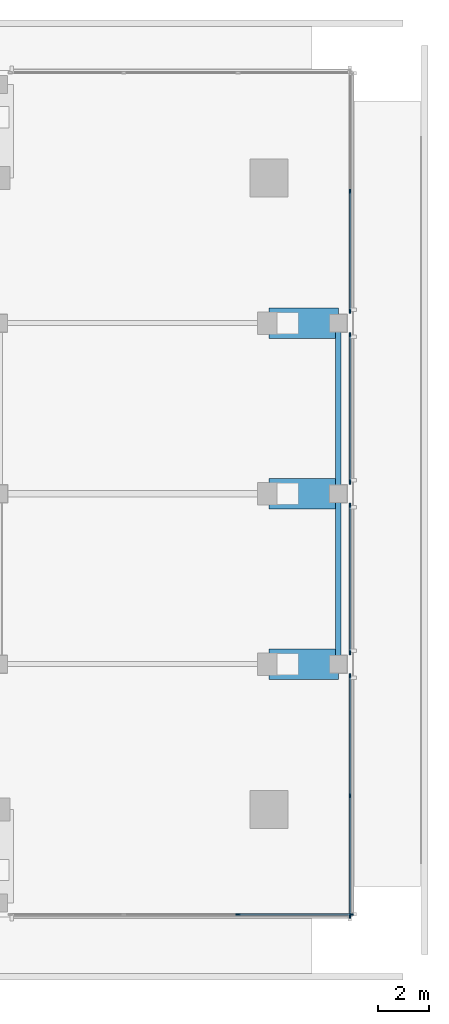
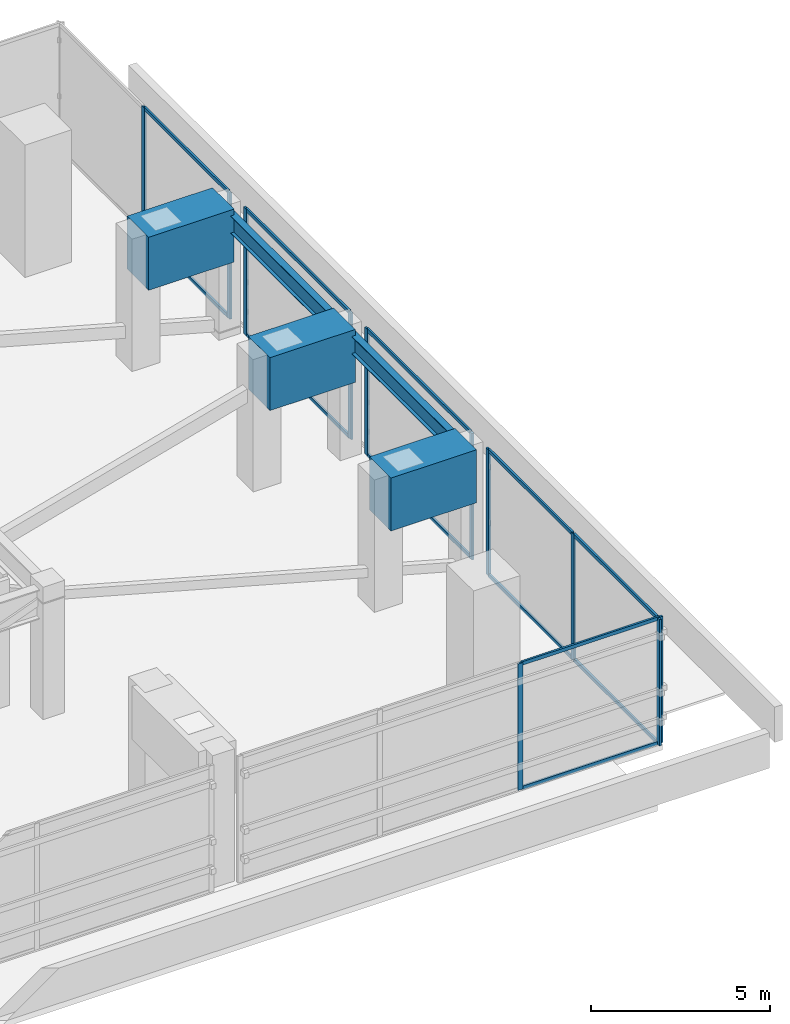
# One storey, part 4 of 13: 23 members, 5 beams, 5 elements without a shape of their own.
"""IFC4 building model written with IfcOpenShell, lengths in metres."""

from ifc_helpers import new_model, si_unit, direction, frame, origin, origin_2d, place, context, subcontext, project, spatial, rectangle, i_section, extrude, material, layer, layer_set, material_profile, profile_set, type_object, element, aggregate, save


model = new_model("IFC4")

# Units and contexts
model_context = context("Model", 3, precision=1e-05, world=origin(), true_north=direction((0.0, 1.0)))
body_context = subcontext(model_context, "Body", "Model", "MODEL_VIEW")
ifc_project = project(units=[si_unit("LENGTHUNIT", "METRE"), si_unit("AREAUNIT", "SQUARE_METRE"), si_unit("VOLUMEUNIT", "CUBIC_METRE"), si_unit("PLANEANGLEUNIT", "RADIAN"), si_unit("MASSUNIT", "GRAM", prefix="KILO")], contexts=[model_context])

# Site, building, storey
site_placement = place(None, origin())
site = spatial("IfcSite", under=ifc_project, at=site_placement, CompositionType="ELEMENT")
building_placement = place(site_placement, origin())
building = spatial("IfcBuilding", under=site, at=building_placement, Name="Kinhvarn Gate Tower", CompositionType="ELEMENT")
storey_placement = place(building_placement, frame((0.0, 0.0, 303.050048828125)))
storey = spatial("IfcBuildingStorey", under=building, at=storey_placement, Name="L80", CompositionType="ELEMENT", Elevation=303.050048828125)

# Beams
ifc_material_1 = material(Name="Concrete C50/60", Category="concrete")
ifc_material_profile_1 = material_profile(ifc_material_1, rectangle(XDim=1.199951171875, YDim=1.800048828125, at=origin_2d()), Name="RC 1200x1800")
ifc_profile_set_1 = profile_set([ifc_material_profile_1], Name="Concrete C50/60")
beam_type_1 = type_object("IfcBeamType", Name="BM-TG-1800", PredefinedType="BEAM", material=ifc_profile_set_1)
for number, where, z_axis, x_axis, name in (
    (1, (38.199951171875, 18.5, 3.599853515625), (1.0, 0.0, 0.0), (0.0, 1.0, 0.0), "Setback Transfer Girder TG-03-L81-CCR-E1"),
    (2, (38.199951171875, 25.25, 3.599853515625), (1.0, 0.0, 0.0), (0.0, 1.0, 0.0), "Setback Transfer Girder TG-03-L81-CCR-E2"),
    (3, (38.199951171875, 32.0, 3.599853515625), (1.0, 0.0, 0.0), (0.0, 1.0, 0.0), "Setback Transfer Girder TG-03-L81-CCR-E3"),
):
    element("IfcBeam", number, at=place(storey_placement, frame(where, z_axis=z_axis, x_axis=x_axis)), inside=storey, type_object=beam_type_1, Name=name, PredefinedType="BEAM", context=body_context, shape_type="SweptSolid", body=[
        extrude(rectangle(XDim=1.199951171875, YDim=1.800048828125, at=origin_2d()), origin(), (0.0, 0.0, 1.0), 2.75),
    ])

# Curtain wall, members
ifc_material_2 = material(Name="Anodised aluminium AW-6063", Category="aluminium")
ifc_layer = layer(ifc_material_2, 0.199951171875)
ifc_layer_set = layer_set([ifc_layer], Name="Anodised aluminium AW-6063")
curtain_wall_type = type_object("IfcCurtainWallType", Name="CW-SYS-6", PredefinedType="NOTDEFINED", material=ifc_layer_set)
curtain_wall_1_placement = place(storey_placement, origin())
curtain_wall_1 = element("IfcCurtainWall", 4, at=curtain_wall_1_placement, inside=storey, type_object=curtain_wall_type, Name="Curtain Wall CW6 (L80)", PredefinedType="NOTDEFINED")
ifc_material_profile_2 = material_profile(ifc_material_2, rectangle(XDim=0.06494140625, YDim=0.159912109375, at=origin_2d()), Name="ALU 65x160")
ifc_profile_set_2 = profile_set([ifc_material_profile_2], Name="Anodised aluminium AW-6063")
member_type_1 = type_object("IfcMemberType", Name="CW-MUL-160", PredefinedType="MULLION", material=ifc_profile_set_2)
member_1_placement = place(storey_placement, frame((36.9765625, 8.590087890625, 0.0), z_axis=(0.0, 0.0, 1.0), x_axis=(0.0, 1.0, 0.0)))
member_1 = element("IfcMember", 5, at=member_1_placement, type_object=member_type_1, Name="CW6 mullion 3", PredefinedType="MULLION", context=body_context, shape_type="SweptSolid", body=[
    extrude(rectangle(XDim=0.06494140625, YDim=0.159912109375, at=origin_2d()), origin(), (0.0, 0.0, 1.0), 4.300048828125),
])
member_2_placement = place(storey_placement, frame((41.467529296875, 8.590087890625, 0.0), z_axis=(0.0, 0.0, 1.0), x_axis=(0.0, 1.0, 0.0)))
member_2 = element("IfcMember", 6, at=member_2_placement, type_object=member_type_1, Name="CW6 mullion 4", PredefinedType="MULLION", context=body_context, shape_type="SweptSolid", body=[
    extrude(rectangle(XDim=0.06494140625, YDim=0.159912109375, at=origin_2d()), origin(), (0.0, 0.0, 1.0), 4.300048828125),
])

curtain_wall_2_placement = place(storey_placement, origin())
curtain_wall_2 = element("IfcCurtainWall", 7, at=curtain_wall_2_placement, inside=storey, type_object=curtain_wall_type, Name="Curtain Wall CW6 (L80)", PredefinedType="NOTDEFINED")
member_3_placement = place(storey_placement, frame((41.409912109375, 8.532470703125, 0.0), z_axis=(0.0, 0.0, 1.0), x_axis=(-1.0, 0.0, 0.0)))
member_3 = element("IfcMember", 8, at=member_3_placement, type_object=member_type_1, Name="CW6 mullion 1", PredefinedType="MULLION", context=body_context, shape_type="SweptSolid", body=[
    extrude(rectangle(XDim=0.06494140625, YDim=0.159912109375, at=origin_2d()), origin(), (0.0, 0.0, 1.0), 4.300048828125),
])
member_4_placement = place(storey_placement, frame((41.409912109375, 13.284912109375, 0.0), z_axis=(0.0, 0.0, 1.0), x_axis=(-1.0, 0.0, 0.0)))
member_4 = element("IfcMember", 9, at=member_4_placement, type_object=member_type_1, Name="CW6 mullion 2", PredefinedType="MULLION", context=body_context, shape_type="SweptSolid", body=[
    extrude(rectangle(XDim=0.06494140625, YDim=0.159912109375, at=origin_2d()), origin(), (0.0, 0.0, 1.0), 4.300048828125),
])
member_5_placement = place(storey_placement, frame((41.409912109375, 18.03759765625, 0.0), z_axis=(0.0, 0.0, 1.0), x_axis=(-1.0, 0.0, 0.0)))
member_5 = element("IfcMember", 10, at=member_5_placement, type_object=member_type_1, Name="CW6 mullion 3", PredefinedType="MULLION", context=body_context, shape_type="SweptSolid", body=[
    extrude(rectangle(XDim=0.06494140625, YDim=0.159912109375, at=origin_2d()), origin(), (0.0, 0.0, 1.0), 4.300048828125),
])

curtain_wall_3_placement = place(storey_placement, origin())
curtain_wall_3 = element("IfcCurtainWall", 11, at=curtain_wall_3_placement, inside=storey, type_object=curtain_wall_type, Name="Curtain Wall CW6 (L80)", PredefinedType="NOTDEFINED")
member_6_placement = place(storey_placement, frame((41.409912109375, 18.96240234375, 0.0), z_axis=(0.0, 0.0, 1.0), x_axis=(-1.0, 0.0, 0.0)))
member_6 = element("IfcMember", 12, at=member_6_placement, type_object=member_type_1, Name="CW6 mullion 1", PredefinedType="MULLION", context=body_context, shape_type="SweptSolid", body=[
    extrude(rectangle(XDim=0.06494140625, YDim=0.159912109375, at=origin_2d()), origin(), (0.0, 0.0, 1.0), 4.300048828125),
])
member_7_placement = place(storey_placement, frame((41.409912109375, 24.78759765625, 0.0), z_axis=(0.0, 0.0, 1.0), x_axis=(-1.0, 0.0, 0.0)))
member_7 = element("IfcMember", 13, at=member_7_placement, type_object=member_type_1, Name="CW6 mullion 2", PredefinedType="MULLION", context=body_context, shape_type="SweptSolid", body=[
    extrude(rectangle(XDim=0.06494140625, YDim=0.159912109375, at=origin_2d()), origin(), (0.0, 0.0, 1.0), 4.300048828125),
])

curtain_wall_4_placement = place(storey_placement, origin())
curtain_wall_4 = element("IfcCurtainWall", 14, at=curtain_wall_4_placement, inside=storey, type_object=curtain_wall_type, Name="Curtain Wall CW6 (L80)", PredefinedType="NOTDEFINED")
member_8_placement = place(storey_placement, frame((41.409912109375, 25.71240234375, 0.0), z_axis=(0.0, 0.0, 1.0), x_axis=(-1.0, 0.0, 0.0)))
member_8 = element("IfcMember", 15, at=member_8_placement, type_object=member_type_1, Name="CW6 mullion 1", PredefinedType="MULLION", context=body_context, shape_type="SweptSolid", body=[
    extrude(rectangle(XDim=0.06494140625, YDim=0.159912109375, at=origin_2d()), origin(), (0.0, 0.0, 1.0), 4.300048828125),
])
member_9_placement = place(storey_placement, frame((41.409912109375, 31.53759765625, 0.0), z_axis=(0.0, 0.0, 1.0), x_axis=(-1.0, 0.0, 0.0)))
member_9 = element("IfcMember", 16, at=member_9_placement, type_object=member_type_1, Name="CW6 mullion 2", PredefinedType="MULLION", context=body_context, shape_type="SweptSolid", body=[
    extrude(rectangle(XDim=0.06494140625, YDim=0.159912109375, at=origin_2d()), origin(), (0.0, 0.0, 1.0), 4.300048828125),
])

curtain_wall_5_placement = place(storey_placement, origin())
curtain_wall_5 = element("IfcCurtainWall", 17, at=curtain_wall_5_placement, inside=storey, type_object=curtain_wall_type, Name="Curtain Wall CW6 (L80)", PredefinedType="NOTDEFINED")
member_10_placement = place(storey_placement, frame((41.409912109375, 32.46240234375, 0.0), z_axis=(0.0, 0.0, 1.0), x_axis=(-1.0, 0.0, 0.0)))
member_10 = element("IfcMember", 18, at=member_10_placement, type_object=member_type_1, Name="CW6 mullion 1", PredefinedType="MULLION", context=body_context, shape_type="SweptSolid", body=[
    extrude(rectangle(XDim=0.06494140625, YDim=0.159912109375, at=origin_2d()), origin(), (0.0, 0.0, 1.0), 4.300048828125),
])
member_11_placement = place(storey_placement, frame((41.409912109375, 37.215087890625, 0.0), z_axis=(0.0, 0.0, 1.0), x_axis=(-1.0, 0.0, 0.0)))
member_11 = element("IfcMember", 19, at=member_11_placement, type_object=member_type_1, Name="CW6 mullion 2", PredefinedType="MULLION", context=body_context, shape_type="SweptSolid", body=[
    extrude(rectangle(XDim=0.06494140625, YDim=0.159912109375, at=origin_2d()), origin(), (0.0, 0.0, 1.0), 4.300048828125),
])

# Member
ifc_material_profile_3 = material_profile(ifc_material_2, rectangle(XDim=0.06494140625, YDim=0.1201171875, at=origin_2d()), Name="ALU 65x120")
ifc_profile_set_3 = profile_set([ifc_material_profile_3], Name="Anodised aluminium AW-6063")
member_type_2 = type_object("IfcMemberType", Name="CW-TRN-120", PredefinedType="USERDEFINED", material=ifc_profile_set_3)
member_12_placement = place(storey_placement, frame((37.00927734375, 8.590087890625, 0.032470703125), z_axis=(1.0, 0.0, 0.0), x_axis=(0.0, 1.0, 0.0)))
member_12 = element("IfcMember", 20, at=member_12_placement, type_object=member_type_2, Name="CW6 transom 3.1", ObjectType="TRANSOM", PredefinedType="USERDEFINED", context=body_context, shape_type="SweptSolid", body=[
    extrude(rectangle(XDim=0.06494140625, YDim=0.1201171875, at=origin_2d()), origin(), (0.0, 0.0, 1.0), 4.42578125),
])

member_13_placement = place(storey_placement, frame((37.00927734375, 8.590087890625, 4.267333984375), z_axis=(1.0, 0.0, 0.0), x_axis=(0.0, 1.0, 0.0)))
member_13 = element("IfcMember", 21, at=member_13_placement, type_object=member_type_2, Name="CW6 transom 3.2", ObjectType="TRANSOM", PredefinedType="USERDEFINED", context=body_context, shape_type="SweptSolid", body=[
    extrude(rectangle(XDim=0.06494140625, YDim=0.1201171875, at=origin_2d()), origin(), (0.0, 0.0, 1.0), 4.42578125),
])

aggregate(curtain_wall_1, [member_1, member_2, member_12, member_13])

member_14_placement = place(storey_placement, frame((41.409912109375, 8.56494140625, 0.032470703125), z_axis=(0.0, 1.0, 0.0), x_axis=(-1.0, 0.0, 0.0)))
member_14 = element("IfcMember", 22, at=member_14_placement, type_object=member_type_2, Name="CW6 transom 1.1", ObjectType="TRANSOM", PredefinedType="USERDEFINED", context=body_context, shape_type="SweptSolid", body=[
    extrude(rectangle(XDim=0.06494140625, YDim=0.1201171875, at=origin_2d()), origin(), (0.0, 0.0, 1.0), 4.6875),
])

member_15_placement = place(storey_placement, frame((41.409912109375, 8.56494140625, 4.267333984375), z_axis=(0.0, 1.0, 0.0), x_axis=(-1.0, 0.0, 0.0)))
member_15 = element("IfcMember", 23, at=member_15_placement, type_object=member_type_2, Name="CW6 transom 1.2", ObjectType="TRANSOM", PredefinedType="USERDEFINED", context=body_context, shape_type="SweptSolid", body=[
    extrude(rectangle(XDim=0.06494140625, YDim=0.1201171875, at=origin_2d()), origin(), (0.0, 0.0, 1.0), 4.6875),
])

member_16_placement = place(storey_placement, frame((41.409912109375, 13.3173828125, 0.032470703125), z_axis=(0.0, 1.0, 0.0), x_axis=(-1.0, 0.0, 0.0)))
member_16 = element("IfcMember", 24, at=member_16_placement, type_object=member_type_2, Name="CW6 transom 2.1", ObjectType="TRANSOM", PredefinedType="USERDEFINED", context=body_context, shape_type="SweptSolid", body=[
    extrude(rectangle(XDim=0.06494140625, YDim=0.1201171875, at=origin_2d()), origin(), (0.0, 0.0, 1.0), 4.6875),
])

member_17_placement = place(storey_placement, frame((41.409912109375, 13.3173828125, 4.267333984375), z_axis=(0.0, 1.0, 0.0), x_axis=(-1.0, 0.0, 0.0)))
member_17 = element("IfcMember", 25, at=member_17_placement, type_object=member_type_2, Name="CW6 transom 2.2", ObjectType="TRANSOM", PredefinedType="USERDEFINED", context=body_context, shape_type="SweptSolid", body=[
    extrude(rectangle(XDim=0.06494140625, YDim=0.1201171875, at=origin_2d()), origin(), (0.0, 0.0, 1.0), 4.6875),
])

aggregate(curtain_wall_2, [member_3, member_4, member_5, member_14, member_15, member_16, member_17])

member_18_placement = place(storey_placement, frame((41.409912109375, 18.9951171875, 0.032470703125), z_axis=(0.0, 1.0, 0.0), x_axis=(-1.0, 0.0, 0.0)))
member_18 = element("IfcMember", 26, at=member_18_placement, type_object=member_type_2, Name="CW6 transom 1.1", ObjectType="TRANSOM", PredefinedType="USERDEFINED", context=body_context, shape_type="SweptSolid", body=[
    extrude(rectangle(XDim=0.06494140625, YDim=0.1201171875, at=origin_2d()), origin(), (0.0, 0.0, 1.0), 5.759765625),
])

member_19_placement = place(storey_placement, frame((41.409912109375, 18.9951171875, 4.267333984375), z_axis=(0.0, 1.0, 0.0), x_axis=(-1.0, 0.0, 0.0)))
member_19 = element("IfcMember", 27, at=member_19_placement, type_object=member_type_2, Name="CW6 transom 1.2", ObjectType="TRANSOM", PredefinedType="USERDEFINED", context=body_context, shape_type="SweptSolid", body=[
    extrude(rectangle(XDim=0.06494140625, YDim=0.1201171875, at=origin_2d()), origin(), (0.0, 0.0, 1.0), 5.759765625),
])

aggregate(curtain_wall_3, [member_6, member_7, member_18, member_19])

member_20_placement = place(storey_placement, frame((41.409912109375, 25.7451171875, 0.032470703125), z_axis=(0.0, 1.0, 0.0), x_axis=(-1.0, 0.0, 0.0)))
member_20 = element("IfcMember", 28, at=member_20_placement, type_object=member_type_2, Name="CW6 transom 1.1", ObjectType="TRANSOM", PredefinedType="USERDEFINED", context=body_context, shape_type="SweptSolid", body=[
    extrude(rectangle(XDim=0.06494140625, YDim=0.1201171875, at=origin_2d()), origin(), (0.0, 0.0, 1.0), 5.759765625),
])

member_21_placement = place(storey_placement, frame((41.409912109375, 25.7451171875, 4.267333984375), z_axis=(0.0, 1.0, 0.0), x_axis=(-1.0, 0.0, 0.0)))
member_21 = element("IfcMember", 29, at=member_21_placement, type_object=member_type_2, Name="CW6 transom 1.2", ObjectType="TRANSOM", PredefinedType="USERDEFINED", context=body_context, shape_type="SweptSolid", body=[
    extrude(rectangle(XDim=0.06494140625, YDim=0.1201171875, at=origin_2d()), origin(), (0.0, 0.0, 1.0), 5.759765625),
])

aggregate(curtain_wall_4, [member_8, member_9, member_20, member_21])

member_22_placement = place(storey_placement, frame((41.409912109375, 32.4951171875, 0.032470703125), z_axis=(0.0, 1.0, 0.0), x_axis=(-1.0, 0.0, 0.0)))
member_22 = element("IfcMember", 30, at=member_22_placement, type_object=member_type_2, Name="CW6 transom 1.1", ObjectType="TRANSOM", PredefinedType="USERDEFINED", context=body_context, shape_type="SweptSolid", body=[
    extrude(rectangle(XDim=0.06494140625, YDim=0.1201171875, at=origin_2d()), origin(), (0.0, 0.0, 1.0), 4.6875),
])

member_23_placement = place(storey_placement, frame((41.409912109375, 32.4951171875, 4.267333984375), z_axis=(0.0, 1.0, 0.0), x_axis=(-1.0, 0.0, 0.0)))
member_23 = element("IfcMember", 31, at=member_23_placement, type_object=member_type_2, Name="CW6 transom 1.2", ObjectType="TRANSOM", PredefinedType="USERDEFINED", context=body_context, shape_type="SweptSolid", body=[
    extrude(rectangle(XDim=0.06494140625, YDim=0.1201171875, at=origin_2d()), origin(), (0.0, 0.0, 1.0), 4.6875),
])

aggregate(curtain_wall_5, [member_10, member_11, member_22, member_23])

# Beams
ifc_material_3 = material(Name="Steel S355", Category="steel")
ifc_material_profile_4 = material_profile(ifc_material_3, i_section(OverallWidth=0.219970703125, OverallDepth=0.60009765625, WebThickness=0.011962890625, FlangeThickness=0.01904296875, at=origin_2d()), Name="IPE 600")
ifc_profile_set_4 = profile_set([ifc_material_profile_4], Name="Steel S355")
beam_type_2 = type_object("IfcBeamType", Name="STL-IPE600", PredefinedType="SPANDREL", material=ifc_profile_set_4)
for number, where, z_axis, x_axis, name in (
    (32, (40.949951171875, 18.5, 4.0), (0.0, 1.0, 0.0), (-1.0, 0.0, 0.0), "Floor Spandrel SB-09 (L80 CR-SPE1)"),
    (33, (40.949951171875, 25.25, 4.0), (0.0, 1.0, 0.0), (-1.0, 0.0, 0.0), "Floor Spandrel SB-09 (L80 CR-SPE2)"),
):
    element("IfcBeam", number, at=place(storey_placement, frame(where, z_axis=z_axis, x_axis=x_axis)), inside=storey, type_object=beam_type_2, Name=name, PredefinedType="SPANDREL", context=body_context, shape_type="SweptSolid", body=[
        extrude(i_section(OverallWidth=0.219970703125, OverallDepth=0.60009765625, WebThickness=0.011962890625, FlangeThickness=0.01904296875, at=origin_2d()), origin(), (0.0, 0.0, 1.0), 6.75),
    ])

save(model, "model.ifc")
